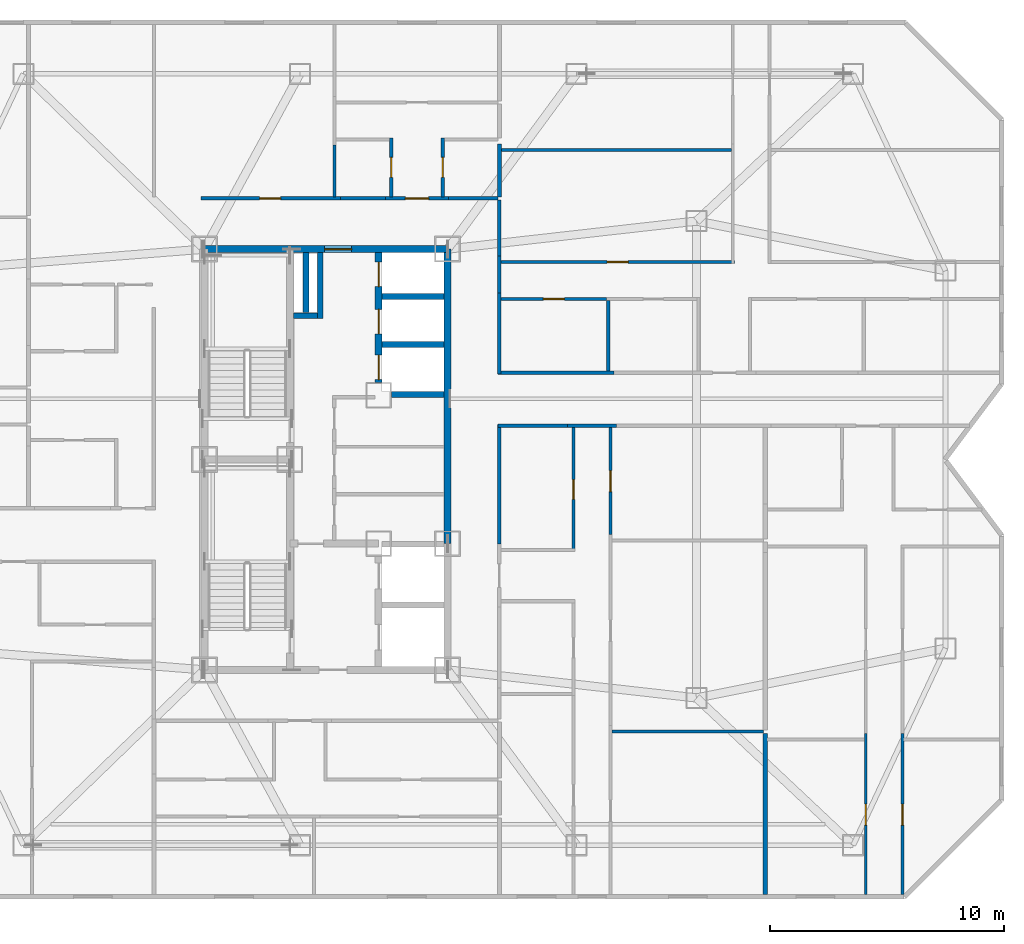
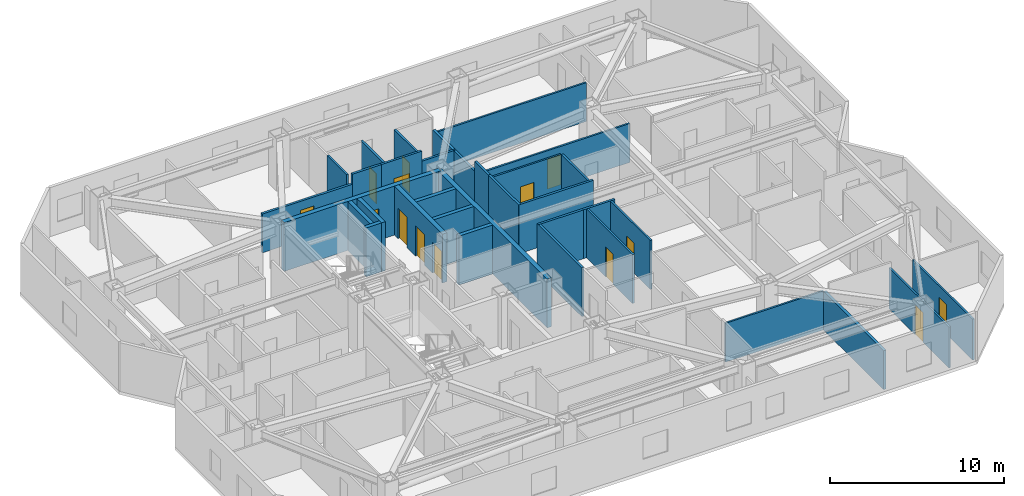
# One storey, part 8 of 11: 34 walls, 14 doors, 14 openings.
"""IFC4 building model written with IfcOpenShell, lengths in metres."""

from ifc_helpers import new_model, si_unit, direction, frame, frame_2d, origin, place, context, subcontext, project, spatial, rectangle, extrude, material, layer, layer_set, type_object, element, fill, save


model = new_model("IFC4")

# Units and contexts
model_context = context("Model", 3, precision=1e-05, world=origin(), true_north=direction((0.0, 1.0)))
body_context = subcontext(model_context, "Body", "Model", "MODEL_VIEW")
ifc_project = project(units=[si_unit("LENGTHUNIT", "METRE"), si_unit("AREAUNIT", "SQUARE_METRE"), si_unit("VOLUMEUNIT", "CUBIC_METRE"), si_unit("PLANEANGLEUNIT", "RADIAN"), si_unit("MASSUNIT", "GRAM", prefix="KILO")], contexts=[model_context])

# Site, building, storey
site_placement = place(None, origin())
site = spatial("IfcSite", under=ifc_project, at=site_placement, CompositionType="ELEMENT")
building_placement = place(site_placement, origin())
building = spatial("IfcBuilding", under=site, at=building_placement, Name="Khamvora Tower", CompositionType="ELEMENT")
storey_placement = place(building_placement, frame((0.0, 0.0, 174.14990234375)))
storey = spatial("IfcBuildingStorey", under=building, at=storey_placement, Name="L44", CompositionType="ELEMENT", Elevation=174.14990234375)

# Wall, opening, door
ifc_material_1 = material(Name="Concrete C50/60", Category="concrete")
ifc_layer_1 = layer(ifc_material_1, 0.300048828125)
ifc_layer_set_1 = layer_set([ifc_layer_1], Name="Concrete C50/60")
wall_type_1 = type_object("IfcWallType", Name="WAL-CORE-300", PredefinedType="SHEAR", material=ifc_layer_set_1)
wall_1_placement = place(storey_placement, frame((29.0, 37.0, 0.0), z_axis=(0.0, 0.0, 1.0), x_axis=(1.0, 0.0, 0.0)))
wall_1 = element("IfcWall", 1, at=wall_1_placement, inside=storey, type_object=wall_type_1, Name="L44 central core north wall", PredefinedType="SHEAR", context=body_context, shape_type="SweptSolid", body=[
    extrude(rectangle(XDim=10.39990234375, YDim=0.300048828125, at=frame_2d((5.199951171875, 0.0))), origin(), (0.0, 0.0, 1.0), 3.43017578125),
])
opening_1_placement = place(wall_1_placement, frame((5.139892578125, 0.0, 0.0)))
opening_1 = element("IfcOpeningElement", 2, at=opening_1_placement, cuts=wall_1, Name="Opening D-SC1", PredefinedType="OPENING", context=body_context, shape_type="SweptSolid", body=[
    extrude(rectangle(XDim=1.14990234375, YDim=2.199951171875, at=frame_2d((0.574951171875, 1.10009765625))), frame((0.0, 0.159912109375, 0.0), z_axis=(0.0, -1.0, 0.0), x_axis=(1.0, 0.0, 0.0)), (0.0, 0.0, 1.0), 0.320068359375),
])
ifc_material_2 = material(Name="Powder-Coated Steel and Hardwood Leaf", Category="steel")
door_type_1 = type_object("IfcDoorType", Name="DOR-SCHL-1150", OperationType="NOTDEFINED", PredefinedType="DOOR", material=ifc_material_2)
door_1_placement = place(opening_1_placement, origin())
door_1 = element("IfcDoor", 3, at=door_1_placement, inside=storey, type_object=door_type_1, Name="L44 north core lobby to corridor fire door", OperationType="SINGLE_SWING_RIGHT", OverallHeight=2.199951171875, OverallWidth=1.14990234375, PredefinedType="DOOR", context=body_context, shape_type="SweptSolid", body=[
    extrude(rectangle(XDim=1.14990234375, YDim=2.199951171875, at=frame_2d((0.574951171875, 1.10009765625))), frame((0.0, 0.02490234375, 0.0), z_axis=(0.0, -1.0, 0.0), x_axis=(1.0, 0.0, 0.0)), (0.0, 0.0, 1.0), 0.050048828125),
])
fill(opening_1, door_1)

# Wall
wall_2_placement = place(storey_placement, frame((39.39990234375, 24.39990234375, 0.0), z_axis=(0.0, 0.0, 1.0), x_axis=(0.0, 1.0, 0.0)))
element("IfcWall", 4, at=wall_2_placement, inside=storey, type_object=wall_type_1, Name="L44 central core east north wall", PredefinedType="SHEAR", context=body_context, shape_type="SweptSolid", body=[
    extrude(rectangle(XDim=12.60009765625, YDim=0.300048828125, at=frame_2d((6.300048828125, 0.0))), origin(), (0.0, 0.0, 1.0), 3.43017578125),
])

# Wall, openings, doors
wall_3_placement = place(storey_placement, frame((36.449951171875, 31.300048828125, 0.0), z_axis=(0.0, 0.0, 1.0), x_axis=(0.0, 1.0, 0.0)))
wall_3 = element("IfcWall", 5, at=wall_3_placement, inside=storey, type_object=wall_type_1, Name="L44 central core lift bank central wall", PredefinedType="SHEAR", context=body_context, shape_type="SweptSolid", body=[
    extrude(rectangle(XDim=5.5458984375, YDim=0.300048828125, at=frame_2d((2.77294921875, 0.0))), origin(), (0.0, 0.0, 1.0), 3.43017578125),
])
opening_2_placement = place(wall_3_placement, frame((0.1201171875, 0.0, 0.0)))
opening_2 = element("IfcOpeningElement", 6, at=opening_2_placement, cuts=wall_3, Name="Opening LD-PL", PredefinedType="OPENING", context=body_context, shape_type="SweptSolid", body=[
    extrude(rectangle(XDim=1.050048828125, YDim=2.14990234375, at=frame_2d((0.52490234375, 1.074951171875))), frame((0.0, 0.159912109375, 0.0), z_axis=(0.0, -1.0, 0.0), x_axis=(1.0, 0.0, 0.0)), (0.0, 0.0, 1.0), 0.320068359375),
])
opening_3_placement = place(wall_3_placement, frame((2.074951171875, 0.0, 0.0)))
opening_3 = element("IfcOpeningElement", 7, at=opening_3_placement, cuts=wall_3, Name="Opening LD-PL", PredefinedType="OPENING", context=body_context, shape_type="SweptSolid", body=[
    extrude(rectangle(XDim=1.050048828125, YDim=2.14990234375, at=frame_2d((0.52490234375, 1.074951171875))), frame((0.0, 0.159912109375, 0.0), z_axis=(0.0, -1.0, 0.0), x_axis=(1.0, 0.0, 0.0)), (0.0, 0.0, 1.0), 0.320068359375),
])
opening_4_placement = place(wall_3_placement, frame((4.094970703125, 0.0, 0.0)))
opening_4 = element("IfcOpeningElement", 8, at=opening_4_placement, cuts=wall_3, Name="Opening LD-PL", PredefinedType="OPENING", context=body_context, shape_type="SweptSolid", body=[
    extrude(rectangle(XDim=1.050048828125, YDim=2.14990234375, at=frame_2d((0.52490234375, 1.074951171875))), frame((0.0, 0.159912109375, 0.0), z_axis=(0.0, -1.0, 0.0), x_axis=(1.0, 0.0, 0.0)), (0.0, 0.0, 1.0), 0.320068359375),
])
door_type_2 = type_object("IfcDoorType", Name="DOR-LIFT-1050", OperationType="SLIDING_TO_LEFT", PredefinedType="DOOR", material=ifc_material_2)
door_2_placement = place(opening_2_placement, origin())
door_2 = element("IfcDoor", 9, at=door_2_placement, inside=storey, type_object=door_type_2, Name="L44 lift landing sliding door PH-01", OperationType="SLIDING_TO_LEFT", OverallHeight=2.14990234375, OverallWidth=1.050048828125, PredefinedType="DOOR", context=body_context, shape_type="SweptSolid", body=[
    extrude(rectangle(XDim=1.050048828125, YDim=2.14990234375, at=frame_2d((0.52490234375, 1.074951171875))), frame((0.0, 0.02490234375, 0.0), z_axis=(0.0, -1.0, 0.0), x_axis=(1.0, 0.0, 0.0)), (0.0, 0.0, 1.0), 0.050048828125),
])
fill(opening_2, door_2)
door_3_placement = place(opening_3_placement, origin())
door_3 = element("IfcDoor", 10, at=door_3_placement, inside=storey, type_object=door_type_2, Name="L44 lift landing sliding door PH-02", OperationType="SLIDING_TO_LEFT", OverallHeight=2.14990234375, OverallWidth=1.050048828125, PredefinedType="DOOR", context=body_context, shape_type="SweptSolid", body=[
    extrude(rectangle(XDim=1.050048828125, YDim=2.14990234375, at=frame_2d((0.52490234375, 1.074951171875))), frame((0.0, 0.02490234375, 0.0), z_axis=(0.0, -1.0, 0.0), x_axis=(1.0, 0.0, 0.0)), (0.0, 0.0, 1.0), 0.050048828125),
])
fill(opening_3, door_3)
door_4_placement = place(opening_4_placement, origin())
door_4 = element("IfcDoor", 11, at=door_4_placement, inside=storey, type_object=door_type_2, Name="L44 lift landing sliding door PH-03", OperationType="SLIDING_TO_LEFT", OverallHeight=2.14990234375, OverallWidth=1.050048828125, PredefinedType="DOOR", context=body_context, shape_type="SweptSolid", body=[
    extrude(rectangle(XDim=1.050048828125, YDim=2.14990234375, at=frame_2d((0.52490234375, 1.074951171875))), frame((0.0, 0.02490234375, 0.0), z_axis=(0.0, -1.0, 0.0), x_axis=(1.0, 0.0, 0.0)), (0.0, 0.0, 1.0), 0.050048828125),
])
fill(opening_4, door_4)

# Wall, opening, door
ifc_material_3 = material(Name="Fire-Rated Drywall and Steel Stud", Category="steel")
ifc_layer_2 = layer(ifc_material_3, 0.14990234375)
ifc_layer_set_2 = layer_set([ifc_layer_2], Name="Fire-Rated Drywall and Steel Stud")
wall_type_2 = type_object("IfcWallType", Name="WAL-CORR-150", PredefinedType="STANDARD", material=ifc_layer_set_2)
wall_4_placement = place(storey_placement, frame((28.85009765625, 39.1650390625, 0.0), z_axis=(0.0, 0.0, 1.0), x_axis=(1.0, 0.0, 0.0)))
wall_4 = element("IfcWall", 12, at=wall_4_placement, inside=storey, type_object=wall_type_2, Name="L44 interior partition wall 007", PredefinedType="STANDARD", context=body_context, shape_type="SweptSolid", body=[
    extrude(rectangle(XDim=5.9638671875, YDim=0.14990234375, at=frame_2d((2.98193359375, 0.0))), origin(), (0.0, 0.0, 1.0), 2.72509765625),
])
opening_5_placement = place(wall_4_placement, frame((2.510986328125, 0.0, 0.0)))
opening_5 = element("IfcOpeningElement", 13, at=opening_5_placement, cuts=wall_4, Name="Opening D-RM1", PredefinedType="OPENING", context=body_context, shape_type="SweptSolid", body=[
    extrude(rectangle(XDim=0.89990234375, YDim=2.10009765625, at=frame_2d((0.449951171875, 1.050048828125))), frame((0.0, 0.0849609375, 0.0), z_axis=(0.0, -1.0, 0.0), x_axis=(1.0, 0.0, 0.0)), (0.0, 0.0, 1.0), 0.169921875),
])
door_type_3 = type_object("IfcDoorType", Name="DOR-ROOM-900", OperationType="NOTDEFINED", PredefinedType="DOOR", material=ifc_material_2)
door_5_placement = place(opening_5_placement, origin())
door_5 = element("IfcDoor", 14, at=door_5_placement, inside=storey, type_object=door_type_3, Name="L44 interior door COR-RPLY", OperationType="SINGLE_SWING_RIGHT", OverallHeight=2.10009765625, OverallWidth=0.89990234375, PredefinedType="DOOR", context=body_context, shape_type="SweptSolid", body=[
    extrude(rectangle(XDim=0.89990234375, YDim=2.10009765625, at=frame_2d((0.449951171875, 1.050048828125))), frame((0.0, 0.02490234375, 0.0), z_axis=(0.0, -1.0, 0.0), x_axis=(1.0, 0.0, 0.0)), (0.0, 0.0, 1.0), 0.050048828125),
])
fill(opening_5, door_5)

wall_5_placement = place(storey_placement, frame((36.740966796875, 39.1650390625, 0.0), z_axis=(0.0, 0.0, 1.0), x_axis=(1.0, 0.0, 0.0)))
wall_5 = element("IfcWall", 15, at=wall_5_placement, inside=storey, type_object=wall_type_2, Name="L44 interior partition wall 022", PredefinedType="STANDARD", context=body_context, shape_type="SweptSolid", body=[
    extrude(rectangle(XDim=2.697998046875, YDim=0.14990234375, at=frame_2d((1.34912109375, 0.0))), origin(), (0.0, 0.0, 1.0), 3.43017578125),
])
opening_6_placement = place(wall_5_placement, frame((0.84912109375, 0.0, 0.0)))
opening_6 = element("IfcOpeningElement", 16, at=opening_6_placement, cuts=wall_5, Name="Opening D-U1", PredefinedType="OPENING", context=body_context, shape_type="SweptSolid", body=[
    extrude(rectangle(XDim=1.0, YDim=2.14990234375, at=frame_2d((0.5, 1.074951171875))), frame((0.0, 0.0849609375, 0.0), z_axis=(0.0, -1.0, 0.0), x_axis=(1.0, 0.0, 0.0)), (0.0, 0.0, 1.0), 0.169921875),
])
door_type_4 = type_object("IfcDoorType", Name="DOR-UNIT-1000", OperationType="NOTDEFINED", PredefinedType="DOOR", material=ifc_material_2)
door_6_placement = place(opening_6_placement, origin())
door_6 = element("IfcDoor", 17, at=door_6_placement, inside=storey, type_object=door_type_4, Name="L44 interior door COR-44NAH", OperationType="SINGLE_SWING_LEFT", OverallHeight=2.14990234375, OverallWidth=1.0, PredefinedType="DOOR", context=body_context, shape_type="SweptSolid", body=[
    extrude(rectangle(XDim=1.0, YDim=2.14990234375, at=frame_2d((0.5, 1.074951171875))), frame((0.0, 0.02490234375, 0.0), z_axis=(0.0, -1.0, 0.0), x_axis=(1.0, 0.0, 0.0)), (0.0, 0.0, 1.0), 0.050048828125),
])
fill(opening_6, door_6)

# Walls
wall_6_placement = place(storey_placement, frame((39.43896484375, 39.1650390625, 0.0), z_axis=(0.0, 0.0, 1.0), x_axis=(1.0, 0.0, 0.0)))
element("IfcWall", 18, at=wall_6_placement, inside=storey, type_object=wall_type_2, Name="L44 interior partition wall 023", PredefinedType="STANDARD", context=body_context, shape_type="SweptSolid", body=[
    extrude(rectangle(XDim=2.111083984375, YDim=0.14990234375, at=frame_2d((1.0556640625, 0.0))), origin(), (0.0, 0.0, 1.0), 2.72509765625),
])
wall_7_placement = place(storey_placement, frame((34.81396484375, 39.1650390625, 0.0), z_axis=(0.0, 0.0, 1.0), x_axis=(1.0, 0.0, 0.0)))
element("IfcWall", 19, at=wall_7_placement, inside=storey, type_object=wall_type_2, Name="L44 interior partition wall 024", PredefinedType="STANDARD", context=body_context, shape_type="SweptSolid", body=[
    extrude(rectangle(XDim=1.927001953125, YDim=0.14990234375, at=frame_2d((0.96337890625, 0.0))), origin(), (0.0, 0.0, 1.0), 3.43017578125),
])
wall_8_placement = place(storey_placement, frame((46.616943359375, 29.43505859375, 0.0), z_axis=(0.0, 0.0, 1.0), x_axis=(-1.0, 0.0, 0.0)))
element("IfcWall", 20, at=wall_8_placement, inside=storey, type_object=wall_type_2, Name="L44 interior partition wall 026", PredefinedType="STANDARD", context=body_context, shape_type="SweptSolid", body=[
    extrude(rectangle(XDim=2.077880859375, YDim=0.14990234375, at=frame_2d((1.0390625, 0.0))), origin(), (0.0, 0.0, 1.0), 3.43017578125),
])
wall_9_placement = place(storey_placement, frame((44.5390625, 29.43505859375, 0.0), z_axis=(0.0, 0.0, 1.0), x_axis=(-1.0, 0.0, 0.0)))
element("IfcWall", 21, at=wall_9_placement, inside=storey, type_object=wall_type_2, Name="L44 interior partition wall 029", PredefinedType="STANDARD", context=body_context, shape_type="SweptSolid", body=[
    extrude(rectangle(XDim=2.989013671875, YDim=0.14990234375, at=frame_2d((1.49462890625, 0.0))), origin(), (0.0, 0.0, 1.0), 3.43017578125),
])
wall_10_placement = place(storey_placement, frame((41.614990234375, 29.5, 0.0), z_axis=(0.0, 0.0, 1.0), x_axis=(0.0, -1.0, 0.0)))
element("IfcWall", 22, at=wall_10_placement, inside=storey, type_object=wall_type_2, Name="L44 interior partition wall 030", PredefinedType="STANDARD", context=body_context, shape_type="SweptSolid", body=[
    extrude(rectangle(XDim=5.116943359375, YDim=0.14990234375, at=frame_2d((2.55859375, 0.0))), origin(), (0.0, 0.0, 1.0), 3.43017578125),
])
wall_11_placement = place(storey_placement, frame((41.614990234375, 35.117919921875, 0.0), z_axis=(0.0, 0.0, 1.0), x_axis=(0.0, -1.0, 0.0)))
element("IfcWall", 23, at=wall_11_placement, inside=storey, type_object=wall_type_2, Name="L44 interior partition wall 035", PredefinedType="STANDARD", context=body_context, shape_type="SweptSolid", body=[
    extrude(rectangle(XDim=3.468017578125, YDim=0.14990234375, at=frame_2d((1.73388671875, 0.0))), origin(), (0.0, 0.0, 1.0), 3.43017578125),
])
wall_12_placement = place(storey_placement, frame((41.550048828125, 31.715087890625, 0.0), z_axis=(0.0, 0.0, 1.0), x_axis=(1.0, 0.0, 0.0)))
element("IfcWall", 24, at=wall_12_placement, inside=storey, type_object=wall_type_2, Name="L44 interior partition wall 036", PredefinedType="STANDARD", context=body_context, shape_type="SweptSolid", body=[
    extrude(rectangle(XDim=4.968994140625, YDim=0.14990234375, at=frame_2d((2.484375, 0.0))), origin(), (0.0, 0.0, 1.0), 3.43017578125),
])
wall_13_placement = place(storey_placement, frame((41.614990234375, 36.697998046875, 0.0), z_axis=(0.0, 0.0, 1.0), x_axis=(0.0, -1.0, 0.0)))
element("IfcWall", 25, at=wall_13_placement, inside=storey, type_object=wall_type_2, Name="L44 interior partition wall 038", PredefinedType="STANDARD", context=body_context, shape_type="SweptSolid", body=[
    extrude(rectangle(XDim=1.580078125, YDim=0.14990234375, at=frame_2d((0.7900390625, 0.0))), origin(), (0.0, 0.0, 1.0), 3.43017578125),
])
wall_14_placement = place(storey_placement, frame((41.614990234375, 39.10009765625, 0.0), z_axis=(0.0, 0.0, 1.0), x_axis=(0.0, -1.0, 0.0)))
element("IfcWall", 26, at=wall_14_placement, inside=storey, type_object=wall_type_2, Name="L44 interior partition wall 042", PredefinedType="STANDARD", context=body_context, shape_type="SweptSolid", body=[
    extrude(rectangle(XDim=2.402099609375, YDim=0.14990234375, at=frame_2d((1.201171875, 0.0))), origin(), (0.0, 0.0, 1.0), 2.72509765625),
])
ifc_material_4 = material(Name="Acoustic Double-Stud Fire Wall", Category="gypsum")
ifc_layer_3 = layer(ifc_material_4, 0.179931640625)
ifc_layer_set_3 = layer_set([ifc_layer_3], Name="Acoustic Double-Stud Fire Wall")
wall_type_3 = type_object("IfcWallType", Name="WAL-CORR-180", PredefinedType="STANDARD", material=ifc_layer_set_3)
wall_15_placement = place(storey_placement, frame((41.614990234375, 41.489990234375, 0.0), z_axis=(0.0, 0.0, 1.0), x_axis=(0.0, -1.0, 0.0)))
element("IfcWall", 27, at=wall_15_placement, inside=storey, type_object=wall_type_3, Name="L44 interior partition wall 095", PredefinedType="STANDARD", context=body_context, shape_type="SweptSolid", body=[
    extrude(rectangle(XDim=2.260009765625, YDim=0.179931640625, at=frame_2d((1.1298828125, 0.0))), origin(), (0.0, 0.0, 1.0), 2.72509765625),
])
wall_16_placement = place(storey_placement, frame((52.985107421875, 16.27099609375, 0.0), z_axis=(0.0, 0.0, 1.0), x_axis=(0.0, -1.0, 0.0)))
element("IfcWall", 28, at=wall_16_placement, inside=storey, type_object=wall_type_3, Name="L44 interior partition wall 107", PredefinedType="STANDARD", context=body_context, shape_type="SweptSolid", body=[
    extrude(rectangle(XDim=6.87890625, YDim=0.179931640625, at=frame_2d((3.439453125, 0.0))), origin(), (0.0, 0.0, 1.0), 2.72509765625),
])

# Wall, opening, door
ifc_material_5 = material(Name="Gypsum Plasterboard Partition", Category="gypsum")
ifc_layer_4 = layer(ifc_material_5, 0.1201171875)
ifc_layer_set_4 = layer_set([ifc_layer_4], Name="Gypsum Plasterboard Partition")
wall_type_4 = type_object("IfcWallType", Name="WAL-PART-120", PredefinedType="PARTITIONING", material=ifc_layer_set_4)
wall_17_placement = place(storey_placement, frame((46.367919921875, 29.367919921875, 0.0), z_axis=(0.0, 0.0, 1.0), x_axis=(0.0, -1.0, 0.0)))
wall_17 = element("IfcWall", 29, at=wall_17_placement, inside=storey, type_object=wall_type_4, Name="L44 interior partition wall 105", PredefinedType="PARTITIONING", context=body_context, shape_type="SweptSolid", body=[
    extrude(rectangle(XDim=4.5830078125, YDim=0.1201171875, at=frame_2d((2.29150390625, 0.0))), origin(), (0.0, 0.0, 1.0), 3.43017578125),
])
opening_7_placement = place(wall_17_placement, frame((1.842041015625, 0.0, 0.0)))
opening_7 = element("IfcOpeningElement", 30, at=opening_7_placement, cuts=wall_17, Name="Opening D-RM1", PredefinedType="OPENING", context=body_context, shape_type="SweptSolid", body=[
    extrude(rectangle(XDim=0.89990234375, YDim=2.10009765625, at=frame_2d((0.449951171875, 1.050048828125))), frame((0.0, 0.070068359375, 0.0), z_axis=(0.0, -1.0, 0.0), x_axis=(1.0, 0.0, 0.0)), (0.0, 0.0, 1.0), 0.14013671875),
])
door_7_placement = place(opening_7_placement, origin())
door_7 = element("IfcDoor", 31, at=door_7_placement, inside=storey, type_object=door_type_3, Name="L44 interior door 44EAH-44EAR3", OperationType="SINGLE_SWING_LEFT", OverallHeight=2.10009765625, OverallWidth=0.89990234375, PredefinedType="DOOR", context=body_context, shape_type="SweptSolid", body=[
    extrude(rectangle(XDim=0.89990234375, YDim=2.10009765625, at=frame_2d((0.449951171875, 1.050048828125))), frame((0.0, 0.02490234375, 0.0), z_axis=(0.0, -1.0, 0.0), x_axis=(1.0, 0.0, 0.0)), (0.0, 0.0, 1.0), 0.050048828125),
])
fill(opening_7, door_7)

# Wall
wall_18_placement = place(storey_placement, frame((46.422119140625, 16.366943359375, 0.0), z_axis=(0.0, 0.0, 1.0), x_axis=(1.0, 0.0, 0.0)))
element("IfcWall", 32, at=wall_18_placement, inside=storey, type_object=wall_type_4, Name="L44 interior partition wall 106", PredefinedType="PARTITIONING", context=body_context, shape_type="SweptSolid", body=[
    extrude(rectangle(XDim=6.497802734375, YDim=0.1201171875, at=frame_2d((3.2490234375, 0.0))), origin(), (0.0, 0.0, 1.0), 2.72509765625),
])

# Wall, opening, door
wall_19_placement = place(storey_placement, frame((57.284912109375, 9.39208984375, 0.0), z_axis=(0.0, 0.0, 1.0), x_axis=(0.0, 1.0, 0.0)))
wall_19 = element("IfcWall", 33, at=wall_19_placement, inside=storey, type_object=wall_type_4, Name="L44 interior partition wall 117", PredefinedType="PARTITIONING", context=body_context, shape_type="SweptSolid", body=[
    extrude(rectangle(XDim=6.87890625, YDim=0.1201171875, at=frame_2d((3.439453125, 0.0))), origin(), (0.0, 0.0, 1.0), 2.8759765625),
])
opening_8_placement = place(wall_19_placement, frame((2.968017578125, 0.0, 0.0)))
opening_8 = element("IfcOpeningElement", 34, at=opening_8_placement, cuts=wall_19, Name="Opening D-RM1", PredefinedType="OPENING", context=body_context, shape_type="SweptSolid", body=[
    extrude(rectangle(XDim=0.89990234375, YDim=2.10009765625, at=frame_2d((0.449951171875, 1.050048828125))), frame((0.0, 0.070068359375, 0.0), z_axis=(0.0, -1.0, 0.0), x_axis=(1.0, 0.0, 0.0)), (0.0, 0.0, 1.0), 0.14013671875),
])
door_8_placement = place(opening_8_placement, origin())
door_8 = element("IfcDoor", 35, at=door_8_placement, inside=storey, type_object=door_type_3, Name="L44 interior door 44EBH-44EBL", OperationType="SINGLE_SWING_RIGHT", OverallHeight=2.10009765625, OverallWidth=0.89990234375, PredefinedType="DOOR", context=body_context, shape_type="SweptSolid", body=[
    extrude(rectangle(XDim=0.89990234375, YDim=2.10009765625, at=frame_2d((0.449951171875, 1.050048828125))), frame((0.0, 0.02490234375, 0.0), z_axis=(0.0, -1.0, 0.0), x_axis=(1.0, 0.0, 0.0)), (0.0, 0.0, 1.0), 0.050048828125),
])
fill(opening_8, door_8)

wall_20_placement = place(storey_placement, frame((58.85498046875, 16.27099609375, 0.0), z_axis=(0.0, 0.0, 1.0), x_axis=(0.0, -1.0, 0.0)))
wall_20 = element("IfcWall", 36, at=wall_20_placement, inside=storey, type_object=wall_type_4, Name="L44 interior partition wall 120", PredefinedType="PARTITIONING", context=body_context, shape_type="SweptSolid", body=[
    extrude(rectangle(XDim=6.87890625, YDim=0.1201171875, at=frame_2d((3.439453125, 0.0))), origin(), (0.0, 0.0, 1.0), 2.8759765625),
])
opening_9_placement = place(wall_20_placement, frame((3.010009765625, 0.0, 0.0)))
opening_9 = element("IfcOpeningElement", 37, at=opening_9_placement, cuts=wall_20, Name="Opening D-RM1", PredefinedType="OPENING", context=body_context, shape_type="SweptSolid", body=[
    extrude(rectangle(XDim=0.89990234375, YDim=2.10009765625, at=frame_2d((0.449951171875, 1.050048828125))), frame((0.0, 0.070068359375, 0.0), z_axis=(0.0, -1.0, 0.0), x_axis=(1.0, 0.0, 0.0)), (0.0, 0.0, 1.0), 0.14013671875),
])
door_9_placement = place(opening_9_placement, origin())
door_9 = element("IfcDoor", 38, at=door_9_placement, inside=storey, type_object=door_type_3, Name="L44 interior door 44EBH-44EBR3", OperationType="SINGLE_SWING_RIGHT", OverallHeight=2.10009765625, OverallWidth=0.89990234375, PredefinedType="DOOR", context=body_context, shape_type="SweptSolid", body=[
    extrude(rectangle(XDim=0.89990234375, YDim=2.10009765625, at=frame_2d((0.449951171875, 1.050048828125))), frame((0.0, 0.02490234375, 0.0), z_axis=(0.0, -1.0, 0.0), x_axis=(1.0, 0.0, 0.0)), (0.0, 0.0, 1.0), 0.050048828125),
])
fill(opening_9, door_9)

wall_21_placement = place(storey_placement, frame((41.681884765625, 34.868896484375, 0.0), z_axis=(0.0, 0.0, 1.0), x_axis=(1.0, 0.0, 0.0)))
wall_21 = element("IfcWall", 39, at=wall_21_placement, inside=storey, type_object=wall_type_4, Name="L44 interior partition wall 125", PredefinedType="PARTITIONING", context=body_context, shape_type="SweptSolid", body=[
    extrude(rectangle(XDim=4.523193359375, YDim=0.1201171875, at=frame_2d((2.26171875, 0.0))), origin(), (0.0, 0.0, 1.0), 3.43017578125),
])
opening_10_placement = place(wall_21_placement, frame((1.81103515625, 0.0, 0.0)))
opening_10 = element("IfcOpeningElement", 40, at=opening_10_placement, cuts=wall_21, Name="Opening D-RM1", PredefinedType="OPENING", context=body_context, shape_type="SweptSolid", body=[
    extrude(rectangle(XDim=0.89990234375, YDim=2.10009765625, at=frame_2d((0.449951171875, 1.050048828125))), frame((0.0, 0.070068359375, 0.0), z_axis=(0.0, -1.0, 0.0), x_axis=(1.0, 0.0, 0.0)), (0.0, 0.0, 1.0), 0.14013671875),
])
door_10_placement = place(opening_10_placement, origin())
door_10 = element("IfcDoor", 41, at=door_10_placement, inside=storey, type_object=door_type_3, Name="L44 interior door 44ECW1-44ECH", OperationType="SINGLE_SWING_RIGHT", OverallHeight=2.10009765625, OverallWidth=0.89990234375, PredefinedType="DOOR", context=body_context, shape_type="SweptSolid", body=[
    extrude(rectangle(XDim=0.89990234375, YDim=2.10009765625, at=frame_2d((0.449951171875, 1.050048828125))), frame((0.0, 0.02490234375, 0.0), z_axis=(0.0, -1.0, 0.0), x_axis=(1.0, 0.0, 0.0)), (0.0, 0.0, 1.0), 0.050048828125),
])
fill(opening_10, door_10)

wall_22_placement = place(storey_placement, frame((41.681884765625, 36.448974609375, 0.0), z_axis=(0.0, 0.0, 1.0), x_axis=(1.0, 0.0, 0.0)))
wall_22 = element("IfcWall", 42, at=wall_22_placement, inside=storey, type_object=wall_type_4, Name="L44 interior partition wall 133", PredefinedType="PARTITIONING", context=body_context, shape_type="SweptSolid", body=[
    extrude(rectangle(XDim=9.983154296875, YDim=0.1201171875, at=frame_2d((4.99169921875, 0.0))), origin(), (0.0, 0.0, 1.0), 2.72509765625),
])
opening_11_placement = place(wall_22_placement, frame((4.5419921875, 0.0, 0.0)))
opening_11 = element("IfcOpeningElement", 43, at=opening_11_placement, cuts=wall_22, Name="Opening D-RM1", PredefinedType="OPENING", context=body_context, shape_type="SweptSolid", body=[
    extrude(rectangle(XDim=0.89990234375, YDim=2.10009765625, at=frame_2d((0.449951171875, 1.050048828125))), frame((0.0, 0.070068359375, 0.0), z_axis=(0.0, -1.0, 0.0), x_axis=(1.0, 0.0, 0.0)), (0.0, 0.0, 1.0), 0.14013671875),
])
door_11_placement = place(opening_11_placement, origin())
door_11 = element("IfcDoor", 44, at=door_11_placement, inside=storey, type_object=door_type_3, Name="L44 interior door 44ECH-44ECR1", OperationType="SINGLE_SWING_LEFT", OverallHeight=2.10009765625, OverallWidth=0.89990234375, PredefinedType="DOOR", context=body_context, shape_type="SweptSolid", body=[
    extrude(rectangle(XDim=0.89990234375, YDim=2.10009765625, at=frame_2d((0.449951171875, 1.050048828125))), frame((0.0, 0.02490234375, 0.0), z_axis=(0.0, -1.0, 0.0), x_axis=(1.0, 0.0, 0.0)), (0.0, 0.0, 1.0), 0.050048828125),
])
fill(opening_11, door_11)

# Walls
wall_23_placement = place(storey_placement, frame((41.697021484375, 41.240966796875, 0.0), z_axis=(0.0, 0.0, 1.0), x_axis=(1.0, 0.0, 0.0)))
element("IfcWall", 45, at=wall_23_placement, inside=storey, type_object=wall_type_4, Name="L44 interior partition wall 139", PredefinedType="PARTITIONING", context=body_context, shape_type="SweptSolid", body=[
    extrude(rectangle(XDim=9.848876953125, YDim=0.1201171875, at=frame_2d((4.92431640625, 0.0))), origin(), (0.0, 0.0, 1.0), 2.72509765625),
])
ifc_material_6 = material(Name="Concrete C40/50", Category="concrete")
ifc_layer_5 = layer(ifc_material_6, 0.25)
ifc_layer_set_5 = layer_set([ifc_layer_5], Name="Concrete C40/50")
wall_type_5 = type_object("IfcWallType", Name="WAL-PODS-250", PredefinedType="SHEAR", material=ifc_layer_set_5)
wall_24_placement = place(storey_placement, frame((37.00390625, 30.77490234375, 0.0), z_axis=(0.0, 0.0, 1.0), x_axis=(1.0, 0.0, 0.0)))
element("IfcWall", 46, at=wall_24_placement, inside=storey, type_object=wall_type_5, Name="L44 high-rise lift shaft south enclosure wall PH-01", PredefinedType="SHEAR", context=body_context, shape_type="SweptSolid", body=[
    extrude(rectangle(XDim=2.2421875, YDim=0.25, at=frame_2d((1.12109375, 0.0))), origin(), (0.0, 0.0, 1.0), 3.43017578125),
])
for number, where, z_axis, x_axis, name in (
    (47, (36.60400390625, 32.925048828125, 0.0), (0.0, 0.0, 1.0), (1.0, 0.0, 0.0), "L44 lift shaft divider wall PH-01"),
    (48, (36.60400390625, 34.97509765625, 0.0), (0.0, 0.0, 1.0), (1.0, 0.0, 0.0), "L44 lift shaft divider wall PH-02"),
):
    element("IfcWall", number, at=place(storey_placement, frame(where, z_axis=z_axis, x_axis=x_axis)), inside=storey, type_object=wall_type_5, Name=name, PredefinedType="SHEAR", context=body_context, shape_type="SweptSolid", body=[
        extrude(rectangle(XDim=2.64208984375, YDim=0.25, at=frame_2d((1.321044921875, 0.0))), origin(), (0.0, 0.0, 1.0), 3.43017578125),
    ])
wall_25_placement = place(storey_placement, frame((33.955078125, 34.02490234375, 0.0), z_axis=(0.0, 0.0, 1.0), x_axis=(0.0, 1.0, 0.0)))
element("IfcWall", 49, at=wall_25_placement, inside=storey, type_object=wall_type_5, Name="L44 vertical MEP riser shaft east enclosure wall", PredefinedType="SHEAR", context=body_context, shape_type="SweptSolid", body=[
    extrude(rectangle(XDim=2.821044921875, YDim=0.25, at=frame_2d((1.41064453125, 0.0))), origin(), (0.0, 0.0, 1.0), 3.43017578125),
])
wall_26_placement = place(storey_placement, frame((32.803955078125, 34.14990234375, 0.0), z_axis=(0.0, 0.0, 1.0), x_axis=(1.0, 0.0, 0.0)))
element("IfcWall", 50, at=wall_26_placement, inside=storey, type_object=wall_type_5, Name="L44 vertical MEP riser shaft south enclosure wall", PredefinedType="SHEAR", context=body_context, shape_type="SweptSolid", body=[
    extrude(rectangle(XDim=1.02197265625, YDim=0.25, at=frame_2d((0.510986328125, 0.0))), origin(), (0.0, 0.0, 1.0), 3.43017578125),
])
wall_27_placement = place(storey_placement, frame((33.340087890625, 34.279052734375, 0.0), z_axis=(0.0, 0.0, 1.0), x_axis=(0.0, 1.0, 0.0)))
element("IfcWall", 51, at=wall_27_placement, inside=storey, type_object=wall_type_5, Name="L44 vertical MEP riser shaft divider enclosure wall", PredefinedType="SHEAR", context=body_context, shape_type="SweptSolid", body=[
    extrude(rectangle(XDim=2.56689453125, YDim=0.25, at=frame_2d((1.283447265625, 0.0))), origin(), (0.0, 0.0, 1.0), 3.43017578125),
])
ifc_material_7 = material(Name="Moisture-Resistant Plasterboard Partition", Category="gypsum")
ifc_layer_6 = layer(ifc_material_7, 0.135009765625)
ifc_layer_set_6 = layer_set([ifc_layer_6], Name="Moisture-Resistant Plasterboard Partition")
wall_type_6 = type_object("IfcWallType", Name="WAL-WET-135", PredefinedType="PARTITIONING", material=ifc_layer_set_6)
wall_28_placement = place(storey_placement, frame((34.56494140625, 41.446044921875, 0.0), z_axis=(0.0, 0.0, 1.0), x_axis=(0.0, -1.0, 0.0)))
element("IfcWall", 52, at=wall_28_placement, inside=storey, type_object=wall_type_6, Name="L44 interior partition wall 045", PredefinedType="PARTITIONING", context=body_context, shape_type="SweptSolid", body=[
    extrude(rectangle(XDim=2.214111328125, YDim=0.135009765625, at=frame_2d((1.10693359375, 0.0))), origin(), (0.0, 0.0, 1.0), 3.43017578125),
])

# Wall, opening, door
wall_29_placement = place(storey_placement, frame((39.18994140625, 41.760009765625, 0.0), z_axis=(0.0, 0.0, 1.0), x_axis=(0.0, -1.0, 0.0)))
wall_29 = element("IfcWall", 53, at=wall_29_placement, inside=storey, type_object=wall_type_6, Name="L44 interior partition wall 090", PredefinedType="PARTITIONING", context=body_context, shape_type="SweptSolid", body=[
    extrude(rectangle(XDim=2.528076171875, YDim=0.135009765625, at=frame_2d((1.26416015625, 0.0))), origin(), (0.0, 0.0, 1.0), 3.43017578125),
])
opening_12_placement = place(wall_29_placement, frame((0.839111328125, 0.0, 0.0)))
opening_12 = element("IfcOpeningElement", 54, at=opening_12_placement, cuts=wall_29, Name="Opening D-WC1", PredefinedType="OPENING", context=body_context, shape_type="SweptSolid", body=[
    extrude(rectangle(XDim=0.85009765625, YDim=2.10009765625, at=frame_2d((0.425048828125, 1.050048828125))), frame((0.0, 0.077392578125, 0.0), z_axis=(0.0, -1.0, 0.0), x_axis=(1.0, 0.0, 0.0)), (0.0, 0.0, 1.0), 0.155029296875),
])
door_type_5 = type_object("IfcDoorType", Name="DOR-WET-850", OperationType="NOTDEFINED", PredefinedType="DOOR", material=ifc_material_2)
door_12_placement = place(opening_12_placement, origin())
door_12 = element("IfcDoor", 55, at=door_12_placement, inside=storey, type_object=door_type_5, Name="L44 interior door 44NAH-44NAB", OperationType="SINGLE_SWING_LEFT", OverallHeight=2.10009765625, OverallWidth=0.85009765625, PredefinedType="DOOR", context=body_context, shape_type="SweptSolid", body=[
    extrude(rectangle(XDim=0.85009765625, YDim=2.10009765625, at=frame_2d((0.425048828125, 1.050048828125))), frame((0.0, 0.02490234375, 0.0), z_axis=(0.0, -1.0, 0.0), x_axis=(1.0, 0.0, 0.0)), (0.0, 0.0, 1.0), 0.050048828125),
])
fill(opening_12, door_12)

wall_30_placement = place(storey_placement, frame((36.989990234375, 39.23193359375, 0.0), z_axis=(0.0, 0.0, 1.0), x_axis=(0.0, 1.0, 0.0)))
wall_30 = element("IfcWall", 56, at=wall_30_placement, inside=storey, type_object=wall_type_6, Name="L44 interior partition wall 091", PredefinedType="PARTITIONING", context=body_context, shape_type="SweptSolid", body=[
    extrude(rectangle(XDim=2.528076171875, YDim=0.135009765625, at=frame_2d((1.26416015625, 0.0))), origin(), (0.0, 0.0, 1.0), 3.43017578125),
])
opening_13_placement = place(wall_30_placement, frame((0.839111328125, 0.0, 0.0)))
opening_13 = element("IfcOpeningElement", 57, at=opening_13_placement, cuts=wall_30, Name="Opening D-RM2", PredefinedType="OPENING", context=body_context, shape_type="SweptSolid", body=[
    extrude(rectangle(XDim=0.85009765625, YDim=2.10009765625, at=frame_2d((0.425048828125, 1.050048828125))), frame((0.0, 0.077392578125, 0.0), z_axis=(0.0, -1.0, 0.0), x_axis=(1.0, 0.0, 0.0)), (0.0, 0.0, 1.0), 0.155029296875),
])
door_type_6 = type_object("IfcDoorType", Name="DOR-ROOM-850", OperationType="NOTDEFINED", PredefinedType="DOOR", material=ifc_material_2)
door_13_placement = place(opening_13_placement, origin())
door_13 = element("IfcDoor", 58, at=door_13_placement, inside=storey, type_object=door_type_6, Name="L44 interior door 44NAH-44NAK", OperationType="SINGLE_SWING_RIGHT", OverallHeight=2.10009765625, OverallWidth=0.85009765625, PredefinedType="DOOR", context=body_context, shape_type="SweptSolid", body=[
    extrude(rectangle(XDim=0.85009765625, YDim=2.10009765625, at=frame_2d((0.425048828125, 1.050048828125))), frame((0.0, 0.02490234375, 0.0), z_axis=(0.0, -1.0, 0.0), x_axis=(1.0, 0.0, 0.0)), (0.0, 0.0, 1.0), 0.050048828125),
])
fill(opening_13, door_13)

wall_31_placement = place(storey_placement, frame((44.7880859375, 24.069091796875, 0.0), z_axis=(0.0, 0.0, 1.0), x_axis=(0.0, 1.0, 0.0)))
wall_31 = element("IfcWall", 59, at=wall_31_placement, inside=storey, type_object=wall_type_6, Name="L44 interior partition wall 102", PredefinedType="PARTITIONING", context=body_context, shape_type="SweptSolid", body=[
    extrude(rectangle(XDim=5.298828125, YDim=0.135009765625, at=frame_2d((2.6494140625, 0.0))), origin(), (0.0, 0.0, 1.0), 3.43017578125),
])
opening_14_placement = place(wall_31_placement, frame((2.22509765625, 0.0, 0.0)))
opening_14 = element("IfcOpeningElement", 60, at=opening_14_placement, cuts=wall_31, Name="Opening D-RM2", PredefinedType="OPENING", context=body_context, shape_type="SweptSolid", body=[
    extrude(rectangle(XDim=0.85009765625, YDim=2.10009765625, at=frame_2d((0.425048828125, 1.050048828125))), frame((0.0, 0.077392578125, 0.0), z_axis=(0.0, -1.0, 0.0), x_axis=(1.0, 0.0, 0.0)), (0.0, 0.0, 1.0), 0.155029296875),
])
door_14_placement = place(opening_14_placement, origin())
door_14 = element("IfcDoor", 61, at=door_14_placement, inside=storey, type_object=door_type_6, Name="L44 interior door 44EAH-44EAK", OperationType="SINGLE_SWING_RIGHT", OverallHeight=2.10009765625, OverallWidth=0.85009765625, PredefinedType="DOOR", context=body_context, shape_type="SweptSolid", body=[
    extrude(rectangle(XDim=0.85009765625, YDim=2.10009765625, at=frame_2d((0.425048828125, 1.050048828125))), frame((0.0, 0.02490234375, 0.0), z_axis=(0.0, -1.0, 0.0), x_axis=(1.0, 0.0, 0.0)), (0.0, 0.0, 1.0), 0.050048828125),
])
fill(opening_14, door_14)

# Wall
wall_32_placement = place(storey_placement, frame((46.27001953125, 34.803955078125, 0.0), z_axis=(0.0, 0.0, 1.0), x_axis=(0.0, -1.0, 0.0)))
element("IfcWall", 62, at=wall_32_placement, inside=storey, type_object=wall_type_6, Name="L44 interior partition wall 126", PredefinedType="PARTITIONING", context=body_context, shape_type="SweptSolid", body=[
    extrude(rectangle(XDim=3.02392578125, YDim=0.135009765625, at=frame_2d((1.511962890625, 0.0))), origin(), (0.0, 0.0, 1.0), 3.43017578125),
])

save(model, "model.ifc")
